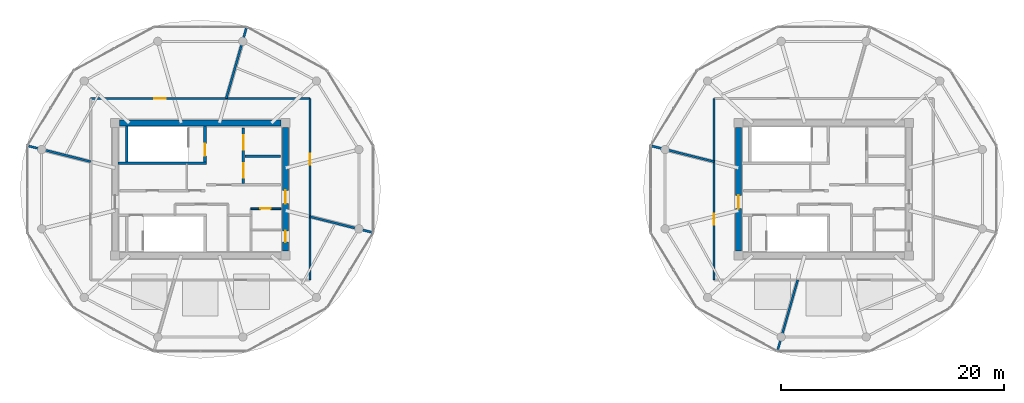
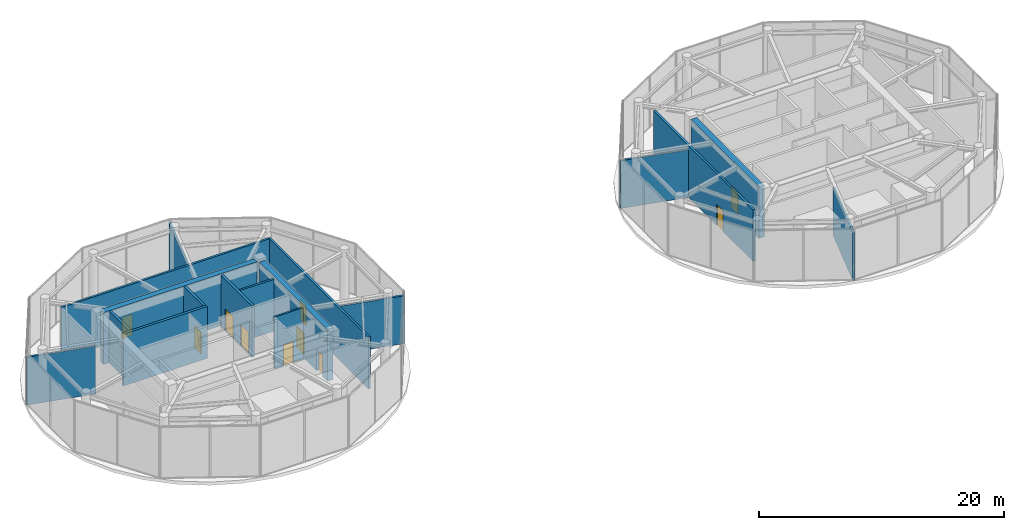
# One storey, part 11 of 15: 17 walls, 10 doors, 10 openings.
"""IFC4 building model written with IfcOpenShell, lengths in metres."""

from ifc_helpers import new_model, si_unit, direction, frame, frame_2d, origin, place, context, subcontext, project, spatial, rectangle, extrude, source, transform, mapped, material, layer, layer_set, type_object, type_shapes, element, fill, save


model = new_model("IFC4")

# Units and contexts
model_context = context("Model", 3, precision=1e-05, world=origin(), true_north=direction((0.0, 1.0)))
body_context = subcontext(model_context, "Body", "Model", "MODEL_VIEW")
ifc_project = project(units=[si_unit("LENGTHUNIT", "METRE"), si_unit("AREAUNIT", "SQUARE_METRE"), si_unit("VOLUMEUNIT", "CUBIC_METRE"), si_unit("PLANEANGLEUNIT", "RADIAN"), si_unit("MASSUNIT", "GRAM", prefix="KILO")], contexts=[model_context])

# Site, building, storey
site_placement = place(None, origin())
site = spatial("IfcSite", under=ifc_project, at=site_placement, CompositionType="ELEMENT")
building_placement = place(site_placement, origin())
building = spatial("IfcBuilding", under=site, at=building_placement, Name="Norrkilde Senior Care Towers", CompositionType="ELEMENT")
storey_placement = place(building_placement, frame((0.0, 0.0, 244.39990234375)))
storey = spatial("IfcBuildingStorey", under=building, at=storey_placement, Name="L76", CompositionType="ELEMENT", Elevation=244.39990234375)

# Wall
ifc_material_1 = material(Name="Concrete C50/60", Category="concrete")
ifc_layer_1 = layer(ifc_material_1, 0.52001953125)
ifc_layer_set_1 = layer_set([ifc_layer_1], Name="Concrete C50/60")
wall_type_1 = type_object("IfcWallType", Name="Core Shear Wall Z4 520", PredefinedType="SHEAR", material=ifc_layer_set_1)
shared_shape_1 = source(origin(), body_context, "Body", "SweptSolid", [
    extrude(rectangle(XDim=14.5, YDim=0.52001953125, at=frame_2d((7.25, 0.0))), origin(), (0.0, 0.0, 1.0), 5.175048828125),
])
wall_1_placement = place(storey_placement, frame((-35.25, 5.949951171875, 0.0), z_axis=(0.0, 0.0, 1.0), x_axis=(1.0, 0.0, 0.0)))
element("IfcWall", 1, at=wall_1_placement, inside=storey, type_object=wall_type_1, Name="L76 Core W North Shear Wall", PredefinedType="SHEAR", context=body_context, shape_type="MappedRepresentation", body=[
    mapped(shared_shape_1, transform((0.0, 0.0, 0.0), x_axis=(1.0, 0.0, 0.0), y_axis=(0.0, 1.0, 0.0), z_axis=(0.0, 0.0, 1.0), scale=1.0)),
])

# Wall, openings, doors
shared_shape_2 = source(origin(), body_context, "Body", "SweptSolid", [
    extrude(rectangle(XDim=11.10009765625, YDim=0.52001953125, at=frame_2d((5.550048828125, 0.0))), origin(), (0.0, 0.0, 1.0), 5.175048828125),
])
type_shapes(wall_type_1, [shared_shape_1, shared_shape_2])
wall_2_placement = place(storey_placement, frame((-20.35009765625, 5.550048828125, 0.0), z_axis=(0.0, 0.0, 1.0), x_axis=(0.0, -1.0, 0.0)))
wall_2 = element("IfcWall", 2, at=wall_2_placement, inside=storey, type_object=wall_type_1, Name="L76 Core W East Shear Wall", PredefinedType="SHEAR", context=body_context, shape_type="MappedRepresentation", body=[
    mapped(shared_shape_2, transform((0.0, 0.0, 0.0), x_axis=(1.0, 0.0, 0.0), y_axis=(0.0, 1.0, 0.0), z_axis=(0.0, 0.0, 1.0), scale=1.0)),
])
opening_1_placement = place(wall_2_placement, frame((5.64990234375, 0.0, 0.0)))
opening_1 = element("IfcOpeningElement", 3, at=opening_1_placement, cuts=wall_2, Name="Opening D-04", PredefinedType="OPENING", context=body_context, shape_type="SweptSolid", body=[
    extrude(rectangle(XDim=1.199951171875, YDim=2.14990234375, at=frame_2d((0.60009765625, 1.074951171875))), frame((0.0, 0.27001953125, 0.0), z_axis=(0.0, -1.0, 0.0), x_axis=(1.0, 0.0, 0.0)), (0.0, 0.0, 1.0), 0.5400390625),
])
opening_2_placement = place(wall_2_placement, frame((9.300048828125, 0.0, 0.0)))
opening_2 = element("IfcOpeningElement", 4, at=opening_2_placement, cuts=wall_2, Name="Opening D-10", PredefinedType="OPENING", context=body_context, shape_type="SweptSolid", body=[
    extrude(rectangle(XDim=1.0, YDim=2.10009765625, at=frame_2d((0.5, 1.050048828125))), frame((0.0, 0.27001953125, 0.0), z_axis=(0.0, -1.0, 0.0), x_axis=(1.0, 0.0, 0.0)), (0.0, 0.0, 1.0), 0.5400390625),
])
ifc_material_2 = material(Name="Galvanised Painted Steel", Category="steel")
door_type_1 = type_object("IfcDoorType", Name="Firefighting Lobby Fire Door 1200x2150", OperationType="NOTDEFINED", PredefinedType="DOOR", material=ifc_material_2)
shared_shape_3 = source(origin(), body_context, "Body", "SweptSolid", [
    extrude(rectangle(XDim=1.199951171875, YDim=2.14990234375, at=frame_2d((0.60009765625, 1.074951171875))), frame((0.0, 0.02490234375, 0.0), z_axis=(0.0, -1.0, 0.0), x_axis=(1.0, 0.0, 0.0)), (0.0, 0.0, 1.0), 0.050048828125),
])
type_shapes(door_type_1, [shared_shape_3])
door_1_placement = place(opening_1_placement, frame((1.199951171875, 0.0, 0.0), z_axis=(0.0, 0.0, 1.0), x_axis=(-1.0, 0.0, 0.0)))
door_1 = element("IfcDoor", 5, at=door_1_placement, inside=storey, type_object=door_type_1, Name="L76 Core W East Portal Door", OperationType="SINGLE_SWING_RIGHT", OverallHeight=2.14990234375, OverallWidth=1.199951171875, PredefinedType="DOOR", context=body_context, shape_type="MappedRepresentation", body=[
    mapped(shared_shape_3, transform((0.0, 0.0, 0.0), x_axis=(1.0, 0.0, 0.0), y_axis=(0.0, 1.0, 0.0), z_axis=(0.0, 0.0, 1.0), scale=1.0)),
])
fill(opening_1, door_1)
door_type_2 = type_object("IfcDoorType", Name="Plant and Riser Rated Door 1000x2100", OperationType="NOTDEFINED", PredefinedType="DOOR", material=ifc_material_2)
shared_shape_4 = source(origin(), body_context, "Body", "SweptSolid", [
    extrude(rectangle(XDim=1.0, YDim=2.10009765625, at=frame_2d((0.5, 1.050048828125))), frame((0.0, 0.02490234375, 0.0), z_axis=(0.0, -1.0, 0.0), x_axis=(1.0, 0.0, 0.0)), (0.0, 0.0, 1.0), 0.050048828125),
])
type_shapes(door_type_2, [shared_shape_4])
door_2_placement = place(opening_2_placement, frame((1.0, 0.0, 0.0), z_axis=(0.0, 0.0, 1.0), x_axis=(-1.0, 0.0, 0.0)))
door_2 = element("IfcDoor", 6, at=door_2_placement, inside=storey, type_object=door_type_2, Name="L76 Ventilation Riser W Door", OperationType="SINGLE_SWING_RIGHT", OverallHeight=2.10009765625, OverallWidth=1.0, PredefinedType="DOOR", context=body_context, shape_type="MappedRepresentation", body=[
    mapped(shared_shape_4, transform((0.0, 0.0, 0.0), x_axis=(1.0, 0.0, 0.0), y_axis=(0.0, 1.0, 0.0), z_axis=(0.0, 0.0, 1.0), scale=1.0)),
])
fill(opening_2, door_2)

# Wall, opening, door
wall_3_placement = place(storey_placement, frame((20.35009765625, -5.550048828125, 0.0), z_axis=(0.0, 0.0, 1.0), x_axis=(0.0, 1.0, 0.0)))
wall_3 = element("IfcWall", 7, at=wall_3_placement, inside=storey, type_object=wall_type_1, Name="L76 Core E West Shear Wall", PredefinedType="SHEAR", context=body_context, shape_type="MappedRepresentation", body=[
    mapped(shared_shape_2, transform((0.0, 0.0, 0.0), x_axis=(1.0, 0.0, 0.0), y_axis=(0.0, 1.0, 0.0), z_axis=(0.0, 0.0, 1.0), scale=1.0)),
])
opening_3_placement = place(wall_3_placement, frame((3.800048828125, 0.0, 0.0)))
opening_3 = element("IfcOpeningElement", 8, at=opening_3_placement, cuts=wall_3, Name="Opening D-04", PredefinedType="OPENING", context=body_context, shape_type="SweptSolid", body=[
    extrude(rectangle(XDim=1.199951171875, YDim=2.14990234375, at=frame_2d((0.60009765625, 1.074951171875))), frame((0.0, 0.27001953125, 0.0), z_axis=(0.0, -1.0, 0.0), x_axis=(1.0, 0.0, 0.0)), (0.0, 0.0, 1.0), 0.5400390625),
])
door_3_placement = place(opening_3_placement, frame((1.199951171875, 0.0, 0.0), z_axis=(0.0, 0.0, 1.0), x_axis=(-1.0, 0.0, 0.0)))
door_3 = element("IfcDoor", 9, at=door_3_placement, inside=storey, type_object=door_type_1, Name="L76 Core E West Portal Door", OperationType="SINGLE_SWING_LEFT", OverallHeight=2.14990234375, OverallWidth=1.199951171875, PredefinedType="DOOR", context=body_context, shape_type="MappedRepresentation", body=[
    mapped(shared_shape_3, transform((0.0, 0.0, 0.0), x_axis=(1.0, 0.0, 0.0), y_axis=(0.0, 1.0, 0.0), z_axis=(0.0, 0.0, 1.0), scale=1.0)),
])
fill(opening_3, door_3)

# Walls
ifc_material_3 = material(Name="Concrete C45/55", Category="concrete")
ifc_layer_2 = layer(ifc_material_3, 0.239990234375)
ifc_layer_set_2 = layer_set([ifc_layer_2], Name="Concrete C45/55")
wall_type_2 = type_object("IfcWallType", Name="Shaft and Stair Enclosure Wall 240", PredefinedType="PARTITIONING", material=ifc_layer_set_2)
shared_shape_5 = source(origin(), body_context, "Body", "SweptSolid", [
    extrude(rectangle(XDim=7.929931640625, YDim=0.239990234375, at=frame_2d((3.96484375, 0.0))), origin(), (0.0, 0.0, 1.0), 5.175048828125),
])
wall_4_placement = place(storey_placement, frame((-35.389892578125, 2.330078125, 0.0), z_axis=(0.0, 0.0, 1.0), x_axis=(1.0, 0.0, 0.0)))
element("IfcWall", 10, at=wall_4_placement, inside=storey, type_object=wall_type_2, Name="WL-INT-L76-W-ST1S", PredefinedType="PARTITIONING", context=body_context, shape_type="MappedRepresentation", body=[
    mapped(shared_shape_5, transform((0.0, 0.0, 0.0), x_axis=(1.0, 0.0, 0.0), y_axis=(0.0, 1.0, 0.0), z_axis=(0.0, 0.0, 1.0), scale=1.0)),
])
shared_shape_6 = source(origin(), body_context, "Body", "SweptSolid", [
    extrude(rectangle(XDim=3.239990234375, YDim=0.239990234375, at=frame_2d((1.6201171875, 0.0))), origin(), (0.0, 0.0, 1.0), 5.175048828125),
])
type_shapes(wall_type_2, [shared_shape_5, shared_shape_6])
wall_5_placement = place(storey_placement, frame((-34.6201171875, 2.449951171875, 0.0), z_axis=(0.0, 0.0, 1.0), x_axis=(0.0, 1.0, 0.0)))
element("IfcWall", 11, at=wall_5_placement, inside=storey, type_object=wall_type_2, Name="WL-INT-L76-W-ST1W", PredefinedType="PARTITIONING", context=body_context, shape_type="MappedRepresentation", body=[
    mapped(shared_shape_6, transform((0.0, 0.0, 0.0), x_axis=(1.0, 0.0, 0.0), y_axis=(0.0, 1.0, 0.0), z_axis=(0.0, 0.0, 1.0), scale=1.0)),
])

# Wall, opening, door
wall_6_placement = place(storey_placement, frame((-27.580078125, 2.449951171875, 0.0), z_axis=(0.0, 0.0, 1.0), x_axis=(0.0, 1.0, 0.0)))
wall_6 = element("IfcWall", 12, at=wall_6_placement, inside=storey, type_object=wall_type_2, Name="WL-INT-L76-W-ST1E", PredefinedType="PARTITIONING", context=body_context, shape_type="MappedRepresentation", body=[
    mapped(shared_shape_6, transform((0.0, 0.0, 0.0), x_axis=(1.0, 0.0, 0.0), y_axis=(0.0, 1.0, 0.0), z_axis=(0.0, 0.0, 1.0), scale=1.0)),
])
opening_4_placement = place(wall_6_placement, frame((0.550048828125, 0.0, 0.0)))
opening_4 = element("IfcOpeningElement", 13, at=opening_4_placement, cuts=wall_6, Name="Opening D-03", PredefinedType="OPENING", context=body_context, shape_type="SweptSolid", body=[
    extrude(rectangle(XDim=1.10009765625, YDim=2.14990234375, at=frame_2d((0.550048828125, 1.074951171875))), frame((0.0, 0.1298828125, 0.0), z_axis=(0.0, -1.0, 0.0), x_axis=(1.0, 0.0, 0.0)), (0.0, 0.0, 1.0), 0.260009765625),
])
door_type_3 = type_object("IfcDoorType", Name="Stairwell Protected Fire Door 1100x2150", OperationType="NOTDEFINED", PredefinedType="DOOR", material=ifc_material_2)
shared_shape_7 = source(origin(), body_context, "Body", "SweptSolid", [
    extrude(rectangle(XDim=1.10009765625, YDim=2.14990234375, at=frame_2d((0.550048828125, 1.074951171875))), frame((0.0, 0.02490234375, 0.0), z_axis=(0.0, -1.0, 0.0), x_axis=(1.0, 0.0, 0.0)), (0.0, 0.0, 1.0), 0.050048828125),
])
type_shapes(door_type_3, [shared_shape_7])
door_4_placement = place(opening_4_placement, origin())
door_4 = element("IfcDoor", 14, at=door_4_placement, inside=storey, type_object=door_type_3, Name="L76 Stair W1 Fire Door", OperationType="SINGLE_SWING_LEFT", OverallHeight=2.14990234375, OverallWidth=1.10009765625, PredefinedType="DOOR", context=body_context, shape_type="MappedRepresentation", body=[
    mapped(shared_shape_7, transform((0.0, 0.0, 0.0), x_axis=(1.0, 0.0, 0.0), y_axis=(0.0, 1.0, 0.0), z_axis=(0.0, 0.0, 1.0), scale=1.0)),
])
fill(opening_4, door_4)

# Wall, openings, doors
ifc_layer_3 = layer(ifc_material_3, 0.239990234375)
ifc_layer_set_3 = layer_set([ifc_layer_3], Name="Concrete C45/55")
wall_type_3 = type_object("IfcWallType", Name="Lift and Plant Rated Enclosure Partition 240", PredefinedType="PARTITIONING", material=ifc_layer_set_3)
shared_shape_8 = source(origin(), body_context, "Body", "SweptSolid", [
    extrude(rectangle(XDim=5.0, YDim=0.239990234375, at=frame_2d((2.5, 0.0))), origin(), (0.0, 0.0, 1.0), 5.16015625),
])
type_shapes(wall_type_3, [shared_shape_8])
wall_7_placement = place(storey_placement, frame((-24.139892578125, 0.5, 0.0), z_axis=(0.0, 0.0, 1.0), x_axis=(0.0, 1.0, 0.0)))
wall_7 = element("IfcWall", 15, at=wall_7_placement, inside=storey, type_object=wall_type_3, Name="WL-INT-L76-W-FFLE", PredefinedType="PARTITIONING", context=body_context, shape_type="MappedRepresentation", body=[
    mapped(shared_shape_8, transform((0.0, 0.0, 0.0), x_axis=(1.0, 0.0, 0.0), y_axis=(0.0, 1.0, 0.0), z_axis=(0.0, 0.0, 1.0), scale=1.0)),
])
opening_5_placement = place(wall_7_placement, frame((3.050048828125, 0.0, 0.0)))
opening_5 = element("IfcOpeningElement", 16, at=opening_5_placement, cuts=wall_7, Name="Opening LD-02", PredefinedType="OPENING", context=body_context, shape_type="SweptSolid", body=[
    extrude(rectangle(XDim=1.300048828125, YDim=2.199951171875, at=frame_2d((0.64990234375, 1.10009765625))), frame((0.0, 0.1298828125, 0.0), z_axis=(0.0, -1.0, 0.0), x_axis=(1.0, 0.0, 0.0)), (0.0, 0.0, 1.0), 0.260009765625),
])
opening_6_placement = place(wall_7_placement, frame((0.550048828125, 0.0, 0.0)))
opening_6 = element("IfcOpeningElement", 17, at=opening_6_placement, cuts=wall_7, Name="Opening LD-02", PredefinedType="OPENING", context=body_context, shape_type="SweptSolid", body=[
    extrude(rectangle(XDim=1.300048828125, YDim=2.199951171875, at=frame_2d((0.64990234375, 1.10009765625))), frame((0.0, 0.1298828125, 0.0), z_axis=(0.0, -1.0, 0.0), x_axis=(1.0, 0.0, 0.0)), (0.0, 0.0, 1.0), 0.260009765625),
])
ifc_material_4 = material(Name="Stainless Steel", Category="steel")
door_type_4 = type_object("IfcDoorType", Name="Stretcher and FFL Landing Sliding Door 1300x2200", OperationType="NOTDEFINED", PredefinedType="DOOR", material=ifc_material_4)
shared_shape_9 = source(origin(), body_context, "Body", "SweptSolid", [
    extrude(rectangle(XDim=1.300048828125, YDim=2.199951171875, at=frame_2d((0.64990234375, 1.10009765625))), frame((0.0, 0.02490234375, 0.0), z_axis=(0.0, -1.0, 0.0), x_axis=(1.0, 0.0, 0.0)), (0.0, 0.0, 1.0), 0.050048828125),
])
type_shapes(door_type_4, [shared_shape_9])
door_5_placement = place(opening_5_placement, origin())
door_5 = element("IfcDoor", 18, at=door_5_placement, inside=storey, type_object=door_type_4, Name="L76 Firefighting Lift W1 Landing Door", OperationType="SLIDING_TO_LEFT", OverallHeight=2.199951171875, OverallWidth=1.300048828125, PredefinedType="DOOR", context=body_context, shape_type="MappedRepresentation", body=[
    mapped(shared_shape_9, transform((0.0, 0.0, 0.0), x_axis=(1.0, 0.0, 0.0), y_axis=(0.0, 1.0, 0.0), z_axis=(0.0, 0.0, 1.0), scale=1.0)),
])
fill(opening_5, door_5)
door_6_placement = place(opening_6_placement, origin())
door_6 = element("IfcDoor", 19, at=door_6_placement, inside=storey, type_object=door_type_4, Name="L76 Stretcher Lift W1 Landing Door", OperationType="SLIDING_TO_RIGHT", OverallHeight=2.199951171875, OverallWidth=1.300048828125, PredefinedType="DOOR", context=body_context, shape_type="MappedRepresentation", body=[
    mapped(shared_shape_9, transform((0.0, 0.0, 0.0), x_axis=(1.0, 0.0, 0.0), y_axis=(0.0, 1.0, 0.0), z_axis=(0.0, 0.0, 1.0), scale=1.0)),
])
fill(opening_6, door_6)

# Wall
ifc_layer_4 = layer(ifc_material_3, 0.199951171875)
ifc_layer_set_4 = layer_set([ifc_layer_4], Name="Concrete C45/55")
wall_type_4 = type_object("IfcWallType", Name="Shaft Division and Plant Partition 200", PredefinedType="PARTITIONING", material=ifc_layer_set_4)
shared_shape_10 = source(origin(), body_context, "Body", "SweptSolid", [
    extrude(rectangle(XDim=3.199951171875, YDim=0.199951171875, at=frame_2d((1.60009765625, 0.0))), origin(), (0.0, 0.0, 1.0), 5.16015625),
])
wall_8_placement = place(storey_placement, frame((-24.0, 2.949951171875, 0.0), z_axis=(0.0, 0.0, 1.0), x_axis=(1.0, 0.0, 0.0)))
element("IfcWall", 20, at=wall_8_placement, inside=storey, type_object=wall_type_4, Name="WL-INT-L76-W-FFLDIV", PredefinedType="PARTITIONING", context=body_context, shape_type="MappedRepresentation", body=[
    mapped(shared_shape_10, transform((0.0, 0.0, 0.0), x_axis=(1.0, 0.0, 0.0), y_axis=(0.0, 1.0, 0.0), z_axis=(0.0, 0.0, 1.0), scale=1.0)),
])

# Wall, opening, door
ifc_material_5 = material(Name="Gypsum Acoustic Board")
ifc_layer_5 = layer(ifc_material_5, 0.1650390625)
ifc_layer_set_5 = layer_set([ifc_layer_5], Name="Gypsum Acoustic Board")
wall_type_5 = type_object("IfcWallType", Name="Corridor Rated Partition 165", PredefinedType="PARTITIONING", material=ifc_layer_set_5)
shared_shape_11 = source(origin(), body_context, "Body", "SweptSolid", [
    extrude(rectangle(XDim=2.699951171875, YDim=0.1650390625, at=frame_2d((1.35009765625, 0.0))), origin(), (0.0, 0.0, 1.0), 5.16015625),
])
type_shapes(wall_type_5, [shared_shape_11])
wall_9_placement = place(storey_placement, frame((-23.449951171875, -1.75, 0.0), z_axis=(0.0, 0.0, 1.0), x_axis=(1.0, 0.0, 0.0)))
wall_9 = element("IfcWall", 21, at=wall_9_placement, inside=storey, type_object=wall_type_5, Name="WL-INT-L76-W-CSN", PredefinedType="PARTITIONING", context=body_context, shape_type="MappedRepresentation", body=[
    mapped(shared_shape_11, transform((0.0, 0.0, 0.0), x_axis=(1.0, 0.0, 0.0), y_axis=(0.0, 1.0, 0.0), z_axis=(0.0, 0.0, 1.0), scale=1.0)),
])
opening_7_placement = place(wall_9_placement, frame((0.85009765625, 0.0, 0.0)))
opening_7 = element("IfcOpeningElement", 22, at=opening_7_placement, cuts=wall_9, Name="Opening D-12", PredefinedType="OPENING", context=body_context, shape_type="SweptSolid", body=[
    extrude(rectangle(XDim=0.925048828125, YDim=2.10009765625, at=frame_2d((0.46240234375, 1.050048828125))), frame((0.0, 0.092529296875, 0.0), z_axis=(0.0, -1.0, 0.0), x_axis=(1.0, 0.0, 0.0)), (0.0, 0.0, 1.0), 0.18505859375),
])
door_type_5 = type_object("IfcDoorType", Name="Core Wet Room Rated Door 925x2100", OperationType="NOTDEFINED", PredefinedType="DOOR", material=ifc_material_2)
shared_shape_12 = source(origin(), body_context, "Body", "SweptSolid", [
    extrude(rectangle(XDim=0.925048828125, YDim=2.10009765625, at=frame_2d((0.46240234375, 1.050048828125))), frame((0.0, 0.02490234375, 0.0), z_axis=(0.0, -1.0, 0.0), x_axis=(1.0, 0.0, 0.0)), (0.0, 0.0, 1.0), 0.050048828125),
])
type_shapes(door_type_5, [shared_shape_12])
door_7_placement = place(opening_7_placement, origin())
door_7 = element("IfcDoor", 23, at=door_7_placement, inside=storey, type_object=door_type_5, Name="L76 Staff WC W Door", OperationType="SINGLE_SWING_LEFT", OverallHeight=2.10009765625, OverallWidth=0.925048828125, PredefinedType="DOOR", context=body_context, shape_type="MappedRepresentation", body=[
    mapped(shared_shape_12, transform((0.0, 0.0, 0.0), x_axis=(1.0, 0.0, 0.0), y_axis=(0.0, 1.0, 0.0), z_axis=(0.0, 0.0, 1.0), scale=1.0)),
])
fill(opening_7, door_7)

shared_shape_13 = source(origin(), body_context, "Body", "SweptSolid", [
    extrude(rectangle(XDim=19.7001953125, YDim=0.199951171875, at=frame_2d((9.85009765625, 0.0))), origin(), (0.0, 0.0, 1.0), 5.16015625),
])
wall_10_placement = place(storey_placement, frame((-37.85009765625, 8.14990234375, 0.0), z_axis=(0.0, 0.0, 1.0), x_axis=(1.0, 0.0, 0.0)))
wall_10 = element("IfcWall", 24, at=wall_10_placement, inside=storey, type_object=wall_type_4, Name="WL-INT-L76-W-PCR-N", PredefinedType="PARTITIONING", context=body_context, shape_type="MappedRepresentation", body=[
    mapped(shared_shape_13, transform((0.0, 0.0, 0.0), x_axis=(1.0, 0.0, 0.0), y_axis=(0.0, 1.0, 0.0), z_axis=(0.0, 0.0, 1.0), scale=1.0)),
])
opening_8_placement = place(wall_10_placement, frame((5.72509765625, 0.0, 0.0)))
opening_8 = element("IfcOpeningElement", 25, at=opening_8_placement, cuts=wall_10, Name="Opening D-10", PredefinedType="OPENING", context=body_context, shape_type="SweptSolid", body=[
    extrude(rectangle(XDim=1.0, YDim=2.10009765625, at=frame_2d((0.5, 1.050048828125))), frame((0.0, 0.10986328125, 0.0), z_axis=(0.0, -1.0, 0.0), x_axis=(1.0, 0.0, 0.0)), (0.0, 0.0, 1.0), 0.219970703125),
])
door_8_placement = place(opening_8_placement, frame((1.0, 0.0, 0.0), z_axis=(0.0, 0.0, 1.0), x_axis=(-1.0, 0.0, 0.0)))
door_8 = element("IfcDoor", 26, at=door_8_placement, inside=storey, type_object=door_type_2, Name="L76 Dedicated Outdoor Air Handling Unit Room Door", OperationType="SINGLE_SWING_LEFT", OverallHeight=2.10009765625, OverallWidth=1.0, PredefinedType="DOOR", context=body_context, shape_type="MappedRepresentation", body=[
    mapped(shared_shape_4, transform((0.0, 0.0, 0.0), x_axis=(1.0, 0.0, 0.0), y_axis=(0.0, 1.0, 0.0), z_axis=(0.0, 0.0, 1.0), scale=1.0)),
])
fill(opening_8, door_8)

shared_shape_14 = source(origin(), body_context, "Body", "SweptSolid", [
    extrude(rectangle(XDim=16.2998046875, YDim=0.199951171875, at=frame_2d((8.14990234375, 0.0))), origin(), (0.0, 0.0, 1.0), 5.16015625),
])
wall_11_placement = place(storey_placement, frame((-18.14990234375, 8.14990234375, 0.0), z_axis=(0.0, 0.0, 1.0), x_axis=(0.0, -1.0, 0.0)))
wall_11 = element("IfcWall", 27, at=wall_11_placement, inside=storey, type_object=wall_type_4, Name="WL-INT-L76-W-PCR-E", PredefinedType="PARTITIONING", context=body_context, shape_type="MappedRepresentation", body=[
    mapped(shared_shape_14, transform((0.0, 0.0, 0.0), x_axis=(1.0, 0.0, 0.0), y_axis=(0.0, 1.0, 0.0), z_axis=(0.0, 0.0, 1.0), scale=1.0)),
])
opening_9_placement = place(wall_11_placement, frame((4.965576171875, 0.0, 0.0)))
opening_9 = element("IfcOpeningElement", 28, at=opening_9_placement, cuts=wall_11, Name="Opening D-10", PredefinedType="OPENING", context=body_context, shape_type="SweptSolid", body=[
    extrude(rectangle(XDim=1.0, YDim=2.10009765625, at=frame_2d((0.5, 1.050048828125))), frame((0.0, 0.10986328125, 0.0), z_axis=(0.0, -1.0, 0.0), x_axis=(1.0, 0.0, 0.0)), (0.0, 0.0, 1.0), 0.219970703125),
])
door_9_placement = place(opening_9_placement, frame((1.0, 0.0, 0.0), z_axis=(0.0, 0.0, 1.0), x_axis=(-1.0, 0.0, 0.0)))
door_9 = element("IfcDoor", 29, at=door_9_placement, inside=storey, type_object=door_type_2, Name="L76 Chiller and Heat-Recovery Cooling Plant Door", OperationType="SINGLE_SWING_RIGHT", OverallHeight=2.10009765625, OverallWidth=1.0, PredefinedType="DOOR", context=body_context, shape_type="MappedRepresentation", body=[
    mapped(shared_shape_4, transform((0.0, 0.0, 0.0), x_axis=(1.0, 0.0, 0.0), y_axis=(0.0, 1.0, 0.0), z_axis=(0.0, 0.0, 1.0), scale=1.0)),
])
fill(opening_9, door_9)

wall_12_placement = place(storey_placement, frame((18.14990234375, -8.14990234375, 0.0), z_axis=(0.0, 0.0, 1.0), x_axis=(0.0, 1.0, 0.0)))
wall_12 = element("IfcWall", 30, at=wall_12_placement, inside=storey, type_object=wall_type_4, Name="WL-INT-L76-E-PCR-W", PredefinedType="PARTITIONING", context=body_context, shape_type="MappedRepresentation", body=[
    mapped(shared_shape_14, transform((0.0, 0.0, 0.0), x_axis=(1.0, 0.0, 0.0), y_axis=(0.0, 1.0, 0.0), z_axis=(0.0, 0.0, 1.0), scale=1.0)),
])
opening_10_placement = place(wall_12_placement, frame((4.965576171875, 0.0, 0.0)))
opening_10 = element("IfcOpeningElement", 31, at=opening_10_placement, cuts=wall_12, Name="Opening D-10", PredefinedType="OPENING", context=body_context, shape_type="SweptSolid", body=[
    extrude(rectangle(XDim=1.0, YDim=2.10009765625, at=frame_2d((0.5, 1.050048828125))), frame((0.0, 0.10986328125, 0.0), z_axis=(0.0, -1.0, 0.0), x_axis=(1.0, 0.0, 0.0)), (0.0, 0.0, 1.0), 0.219970703125),
])
door_10_placement = place(opening_10_placement, frame((1.0, 0.0, 0.0), z_axis=(0.0, 0.0, 1.0), x_axis=(-1.0, 0.0, 0.0)))
door_10 = element("IfcDoor", 32, at=door_10_placement, inside=storey, type_object=door_type_2, Name="L76 HV Switchroom and Fire Booster Pump Plant Door", OperationType="SINGLE_SWING_RIGHT", OverallHeight=2.10009765625, OverallWidth=1.0, PredefinedType="DOOR", context=body_context, shape_type="MappedRepresentation", body=[
    mapped(shared_shape_4, transform((0.0, 0.0, 0.0), x_axis=(1.0, 0.0, 0.0), y_axis=(0.0, 1.0, 0.0), z_axis=(0.0, 0.0, 1.0), scale=1.0)),
])
fill(opening_10, door_10)

# Walls
shared_shape_15 = source(origin(), body_context, "Body", "SweptSolid", [
    extrude(rectangle(XDim=6.693115234375, YDim=0.199951171875, at=frame_2d((3.3466796875, 0.0))), origin(), (0.0, 0.0, 1.0), 4.760009765625),
])
for number, where, z_axis, x_axis, name in (
    (33, (-25.671630859375, 8.14990234375, 0.0), (0.0, 0.0, 1.0), (0.2747066748, 0.96152807698, 0.0), "WL-INT-L76-W-PRAD-2-0"),
    (34, (25.671630859375, -8.14990234375, 0.0), (0.0, 0.0, 1.0), (-0.2747066748, -0.96152807698, 0.0), "WL-INT-L76-E-PRAD-0-0"),
):
    element("IfcWall", number, at=place(storey_placement, frame(where, z_axis=z_axis, x_axis=x_axis)), inside=storey, type_object=wall_type_4, Name=name, PredefinedType="PARTITIONING", context=body_context, shape_type="MappedRepresentation", body=[
        mapped(shared_shape_15, transform((0.0, 0.0, 0.0), x_axis=(1.0, 0.0, 0.0), y_axis=(0.0, 1.0, 0.0), z_axis=(0.0, 0.0, 1.0), scale=1.0)),
    ])
shared_shape_16 = source(origin(), body_context, "Body", "SweptSolid", [
    extrude(rectangle(XDim=5.878662109375, YDim=0.199951171875, at=frame_2d((2.939453125, 0.0))), origin(), (0.0, 0.0, 1.0), 4.760009765625),
])
type_shapes(wall_type_4, [shared_shape_10, shared_shape_13, shared_shape_14, shared_shape_15, shared_shape_16])
for number, where, z_axis, x_axis, name in (
    (35, (-18.14990234375, -2.475341796875, 0.0), (0.0, 0.0, 1.0), (0.96984127658, -0.24373735504, 0.0), "WL-INT-L76-W-PRAD-1-0"),
    (36, (-37.85009765625, 2.475341796875, 0.0), (0.0, 0.0, 1.0), (-0.96984127658, 0.24373735504, 0.0), "WL-INT-L76-W-PRAD-3-0"),
    (37, (18.14990234375, 2.475341796875, 0.0), (0.0, 0.0, 1.0), (-0.96984127658, 0.24373735504, 0.0), "WL-INT-L76-E-PRAD-3-0"),
):
    element("IfcWall", number, at=place(storey_placement, frame(where, z_axis=z_axis, x_axis=x_axis)), inside=storey, type_object=wall_type_4, Name=name, PredefinedType="PARTITIONING", context=body_context, shape_type="MappedRepresentation", body=[
        mapped(shared_shape_16, transform((0.0, 0.0, 0.0), x_axis=(1.0, 0.0, 0.0), y_axis=(0.0, 1.0, 0.0), z_axis=(0.0, 0.0, 1.0), scale=1.0)),
    ])

save(model, "model.ifc")
